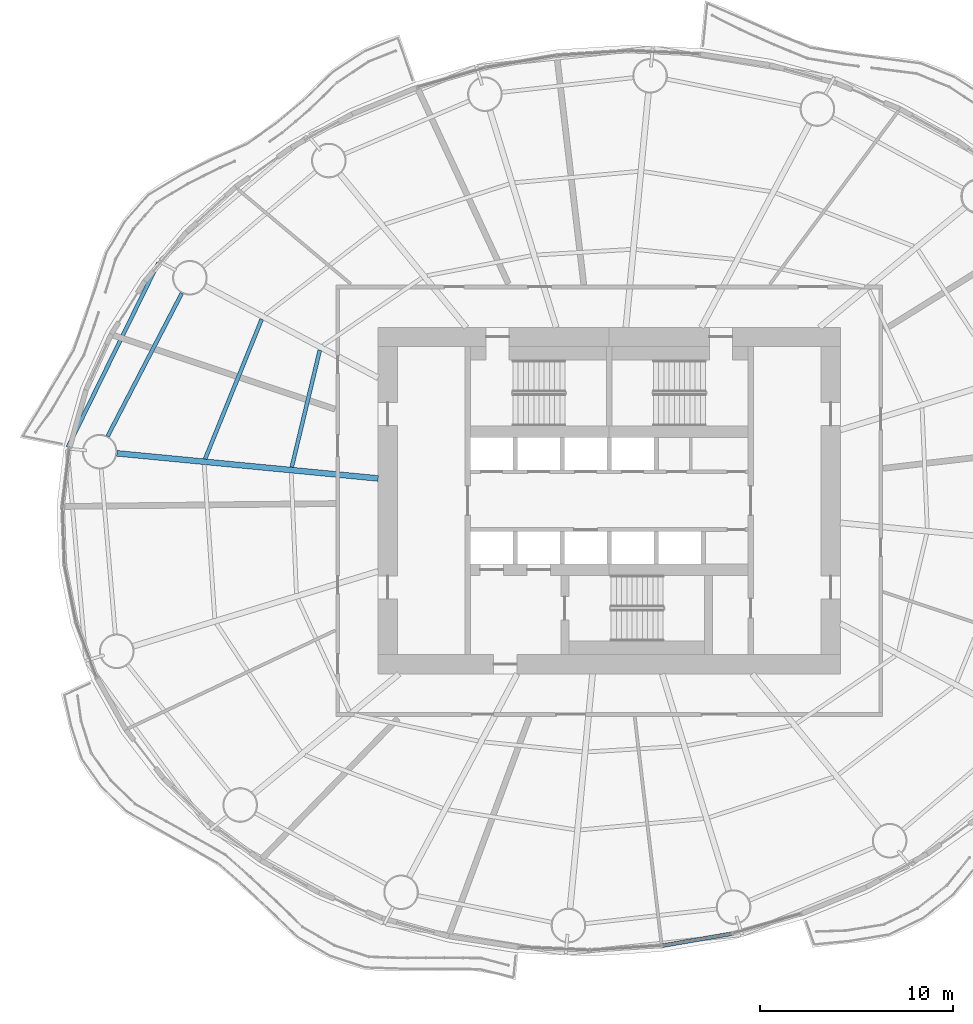
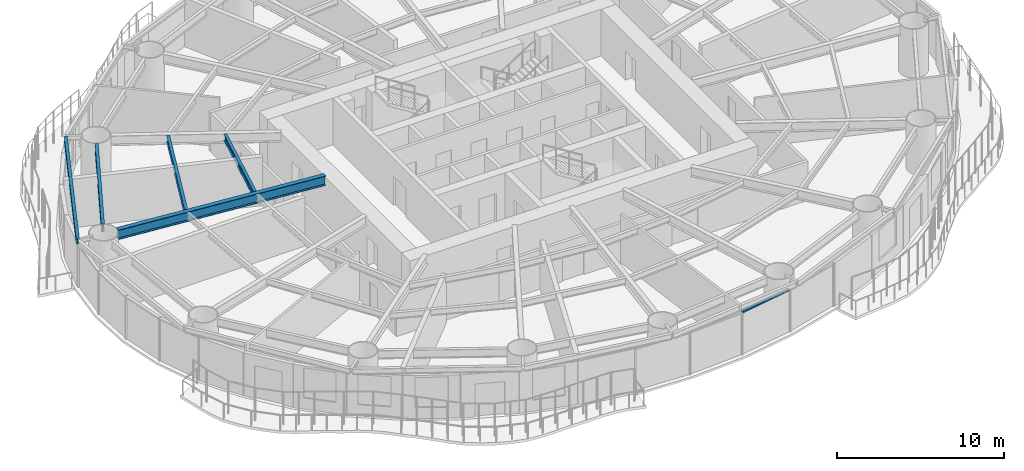
# One storey, part 3 of 16: 5 beams, 1 member, 1 element without a shape of its own.
"""IFC4 building model written with IfcOpenShell, lengths in metres."""

from ifc_helpers import new_model, si_unit, direction, frame, origin, origin_2d, place, context, subcontext, project, spatial, rectangle, i_section, extrude, material, material_profile, profile_set, type_object, element, aggregate, save


model = new_model("IFC4")

# Units and contexts
model_context = context("Model", 3, precision=1e-05, world=origin(), true_north=direction((0.0, 1.0)))
body_context = subcontext(model_context, "Body", "Model", "MODEL_VIEW")
ifc_project = project(units=[si_unit("LENGTHUNIT", "METRE"), si_unit("AREAUNIT", "SQUARE_METRE"), si_unit("VOLUMEUNIT", "CUBIC_METRE"), si_unit("PLANEANGLEUNIT", "RADIAN"), si_unit("MASSUNIT", "GRAM", prefix="KILO")], contexts=[model_context])

# Site, building, storey
site_placement = place(None, origin())
site = spatial("IfcSite", under=ifc_project, at=site_placement, CompositionType="ELEMENT")
building_placement = place(site_placement, origin())
building = spatial("IfcBuilding", under=site, at=building_placement, Name="Vermilion Reach Broadcast Tower", CompositionType="ELEMENT")
storey_placement = place(building_placement, frame((0.0, 0.0, 61.89990234375)))
storey = spatial("IfcBuildingStorey", under=building, at=storey_placement, Name="L12", CompositionType="ELEMENT", Elevation=61.89990234375)

# Beams
ifc_material_1 = material(Name="Steel S355J2", Category="steel")
ifc_material_profile_1 = material_profile(ifc_material_1, i_section(OverallWidth=0.199951171875, OverallDepth=0.39990234375, WebThickness=0.008056640625, FlangeThickness=0.012939453125, at=origin_2d()), Name="S355J2 HN 400x200x8x13")
ifc_profile_set_1 = profile_set([ifc_material_profile_1], Name="Steel S355J2")
beam_type_1 = type_object("IfcBeamType", Name="EB1 HN 400x200x8x13", PredefinedType="BEAM", material=ifc_profile_set_1)
beam_1_placement = place(storey_placement, frame((-29.41064453125, 12.357421875, 3.35009765625), z_axis=(-0.440539111033, -0.897733419034, 0.0), x_axis=(0.897733419034, -0.440539111033, 0.0)))
element("IfcBeam", 1, at=beam_1_placement, inside=storey, type_object=beam_type_1, Name="Edge beam EB1-07", PredefinedType="BEAM", context=body_context, shape_type="SweptSolid", body=[
    extrude(i_section(OverallWidth=0.199951171875, OverallDepth=0.39990234375, WebThickness=0.008056640625, FlangeThickness=0.012939453125, at=origin_2d()), origin(), (0.0, 0.0, 1.0), 10.67138671875),
])
ifc_material_2 = material(Name="Steel S355J2", Category="steel")
ifc_material_profile_2 = material_profile(ifc_material_2, i_section(OverallWidth=0.300048828125, OverallDepth=0.699951171875, WebThickness=0.012939453125, FlangeThickness=0.02392578125, at=origin_2d()), Name="S355J2 HN 700x300x13x24")
ifc_profile_set_2 = profile_set([ifc_material_profile_2], Name="Steel S355J2")
beam_type_2 = type_object("IfcBeamType", Name="G1 HN 700x300x13x24", PredefinedType="BEAM", material=ifc_profile_set_2)
beam_2_placement = place(storey_placement, frame((-18.0, 1.1533203125, 3.2001953125), z_axis=(-0.995412178872, 0.095679643363, 0.0), x_axis=(-0.095679643363, -0.995412178872, 0.0)))
element("IfcBeam", 2, at=beam_2_placement, inside=storey, type_object=beam_type_2, Name="Girder G1-08", PredefinedType="BEAM", context=body_context, shape_type="SweptSolid", body=[
    extrude(i_section(OverallWidth=0.300048828125, OverallDepth=0.699951171875, WebThickness=0.012939453125, FlangeThickness=0.02392578125, at=origin_2d()), origin(), (0.0, 0.0, 1.0), 13.630859375),
])
ifc_material_3 = material(Name="Steel S355J2", Category="steel")
ifc_material_profile_3 = material_profile(ifc_material_3, i_section(OverallWidth=0.199951171875, OverallDepth=0.60009765625, WebThickness=0.010986328125, FlangeThickness=0.01708984375, at=origin_2d()), Name="S355J2 HN 600x200x11x17")
ifc_profile_set_3 = profile_set([ifc_material_profile_3], Name="Steel S355J2")
beam_type_3 = type_object("IfcBeamType", Name="RB1 HN 600x200x11x17", PredefinedType="BEAM", material=ifc_profile_set_3)
beam_3_placement = place(storey_placement, frame((-28.194091796875, 10.776611328125, 3.25), z_axis=(-0.460411617218, -0.887705549566, 0.0), x_axis=(0.887705549566, -0.460411617218, 0.0)))
element("IfcBeam", 3, at=beam_3_placement, inside=storey, type_object=beam_type_3, Name="Ring beam RB1-07", PredefinedType="BEAM", context=body_context, shape_type="SweptSolid", body=[
    extrude(i_section(OverallWidth=0.199951171875, OverallDepth=0.60009765625, WebThickness=0.010986328125, FlangeThickness=0.01708984375, at=origin_2d()), origin(), (0.0, 0.0, 1.0), 8.37451171875),
])
ifc_material_4 = material(Name="Steel S355J2", Category="steel")
ifc_material_profile_4 = material_profile(ifc_material_4, i_section(OverallWidth=0.199951171875, OverallDepth=0.449951171875, WebThickness=0.009033203125, FlangeThickness=0.013916015625, at=origin_2d()), Name="S355J2 HN 450x200x9x14")
ifc_profile_set_4 = profile_set([ifc_material_profile_4], Name="Steel S355J2")
beam_type_4 = type_object("IfcBeamType", Name="SB1 HN 450x200x9x14", PredefinedType="BEAM", material=ifc_profile_set_4)
beam_4_placement = place(storey_placement, frame((-21.031005859375, 7.81884765625, 3.3251953125), z_axis=(-0.232844467589, -0.972513986487, 0.0), x_axis=(0.972513986487, -0.232844467589, 0.0)))
element("IfcBeam", 4, at=beam_4_placement, inside=storey, type_object=beam_type_4, Name="Secondary beam SB1-07-1", PredefinedType="BEAM", context=body_context, shape_type="SweptSolid", body=[
    extrude(i_section(OverallWidth=0.199951171875, OverallDepth=0.449951171875, WebThickness=0.009033203125, FlangeThickness=0.013916015625, at=origin_2d()), origin(), (0.0, 0.0, 1.0), 6.25537109375),
])
beam_5_placement = place(storey_placement, frame((-24.046630859375, 9.421630859375, 3.3251953125), z_axis=(-0.375640669938, -0.926765389453, 0.0), x_axis=(0.926765389453, -0.375640669938, 0.0)))
element("IfcBeam", 5, at=beam_5_placement, inside=storey, type_object=beam_type_4, Name="Secondary beam SB1-07-2", PredefinedType="BEAM", context=body_context, shape_type="SweptSolid", body=[
    extrude(i_section(OverallWidth=0.199951171875, OverallDepth=0.449951171875, WebThickness=0.009033203125, FlangeThickness=0.013916015625, at=origin_2d()), origin(), (0.0, 0.0, 1.0), 7.8271484375),
])

# Curtain wall, member
ifc_material_5 = material(Name="Low-e laminated clear glass in aluminium frame", Category="aluminium")
curtain_wall_type = type_object("IfcCurtainWallType", Name="Slot curtain wall", PredefinedType="NOTDEFINED", material=ifc_material_5)
curtain_wall_placement = place(storey_placement, origin())
curtain_wall = element("IfcCurtainWall", 6, at=curtain_wall_placement, inside=storey, type_object=curtain_wall_type, Name="Slot curtain wall L12 36", PredefinedType="NOTDEFINED")
ifc_material_6 = material(Name="Anodised aluminium", Category="aluminium")
ifc_material_profile_5 = material_profile(ifc_material_6, rectangle(XDim=0.199951171875, YDim=0.10009765625, at=origin_2d()), Name="Slot transom 200 x 100")
ifc_profile_set_5 = profile_set([ifc_material_profile_5], Name="Anodised aluminium")
member_type = type_object("IfcMemberType", Name="Slot transom 200 x 100", PredefinedType="USERDEFINED", material=ifc_profile_set_5)
member_placement = place(storey_placement, frame((-3.23681640625, -23.110107421875, 3.10009765625), z_axis=(0.985428032487, 0.170092894587, 0.0), x_axis=(-0.170092894587, 0.985428032487, 0.0)))
member = element("IfcMember", 7, at=member_placement, type_object=member_type, Name="Slot transom L12 36.1", ObjectType="TRANSOM", PredefinedType="USERDEFINED", context=body_context, shape_type="SweptSolid", body=[
    extrude(rectangle(XDim=0.199951171875, YDim=0.10009765625, at=origin_2d()), origin(), (0.0, 0.0, 1.0), 3.648681640625),
])
aggregate(curtain_wall, [member])

save(model, "model.ifc")
